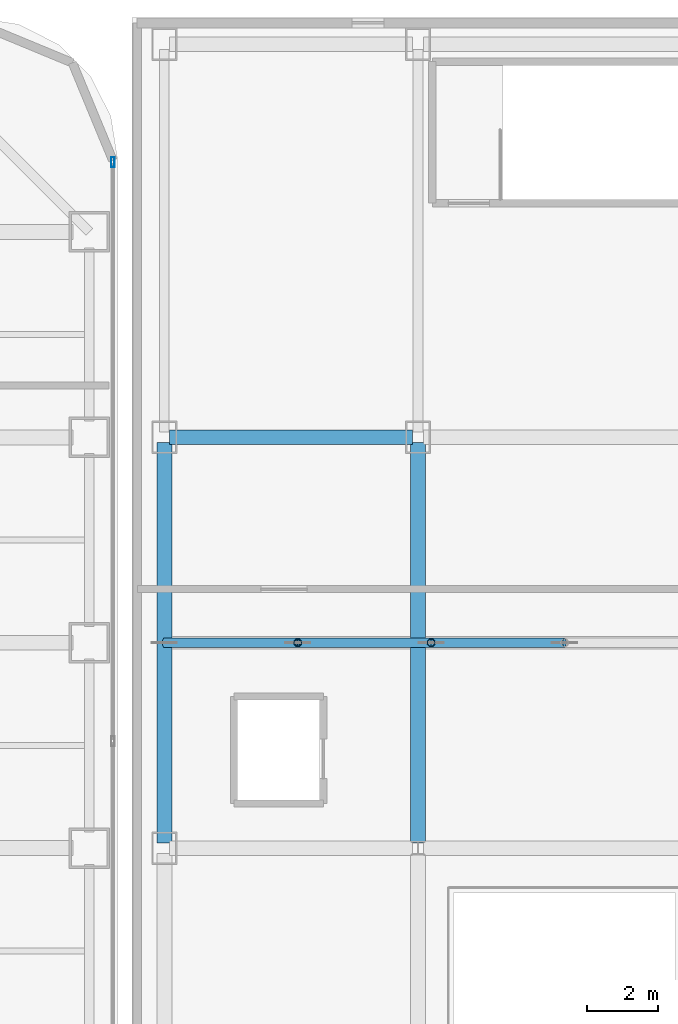
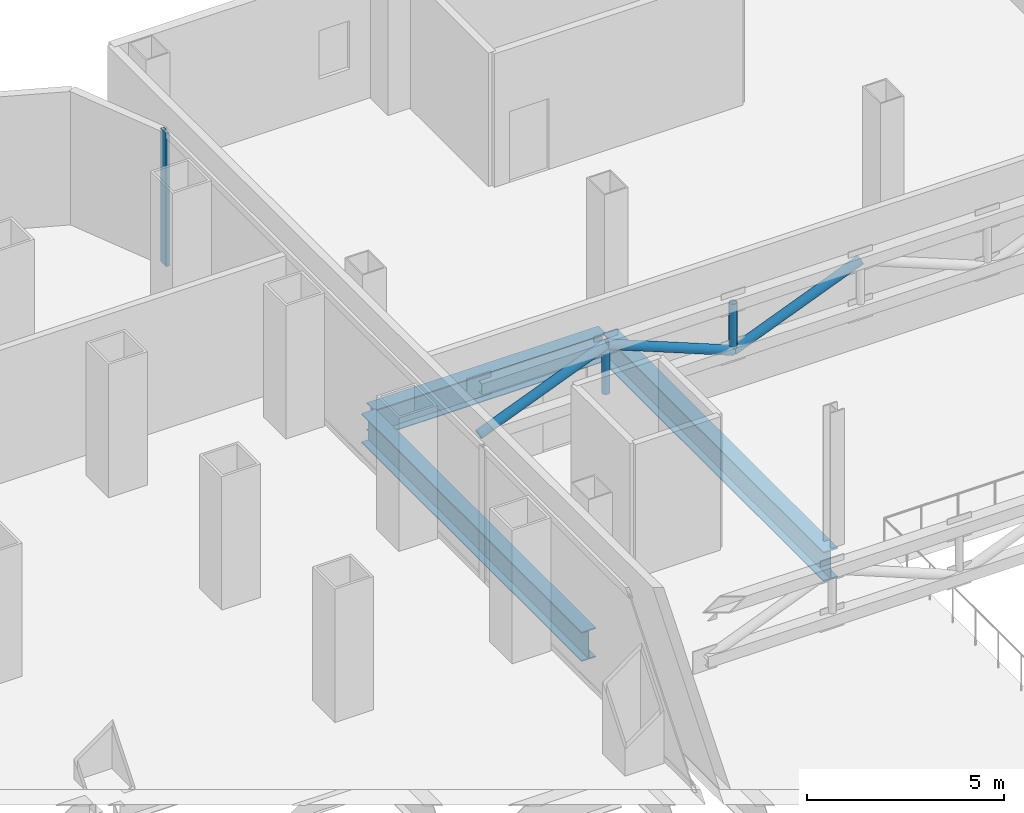
# One storey, part 15 of 28: 6 members, 3 beams, 1 element without a shape of its own.
"""IFC4 building model written with IfcOpenShell, lengths in metres."""

import ifcopenshell
import ifcopenshell.guid

model = None  # the IFC model being written
_history = None  # IfcOwnerHistory: only IFC2X3 demands one
_inside = {}  # id of a spatial element -> (the spatial element, [elements in it])
_under = {}  # id of a project, library or spatial element -> (it, [spatial elements below it])
_declared = {}  # id of a project -> (the project, [libraries it declares])
_typed = {}  # id of a type object -> (the type object, [elements of that type])
_made_of = {}  # id of a material, layer set ... -> (it, [elements and type objects made of it])


def new_model(schema):
    """Start an empty IFC model of exactly this schema.

    Asked for "IFC4X3", IfcOpenShell would pick the latest addendum, in which some entities
    have other attributes; the version numbers below select the first issue.
    IFC2X3 requires an IfcOwnerHistory on every rooted entity: one is made here for all.
    """
    global model, _history
    if schema == "IFC4X3":
        model = ifcopenshell.file(schema_version=(4, 3, 0, 0))
    else:
        model = ifcopenshell.file(schema=schema)
    _inside.clear()
    _under.clear()
    _declared.clear()
    _typed.clear()
    _made_of.clear()
    _history = None
    if model.schema == "IFC2X3":
        org = make("IfcOrganization", Name="unknown")
        user = make(
            "IfcPersonAndOrganization",
            ThePerson=make("IfcPerson", FamilyName="unknown"),
            TheOrganization=org,
        )
        app = make(
            "IfcApplication",
            ApplicationDeveloper=org,
            Version="unknown",
            ApplicationFullName="unknown",
            ApplicationIdentifier="unknown",
        )
        _history = make(
            "IfcOwnerHistory",
            OwningUser=user,
            OwningApplication=app,
            ChangeAction="ADDED",
            CreationDate=0,
        )
    return model


def make(cls, **values):
    """One entity of the class cls with the attributes given. An attribute that is None is left unset."""
    return model.create_entity(
        cls, **{name: value for name, value in values.items() if value is not None}
    )


def rooted(cls, **values):
    """An entity with a GlobalId (a new one), such as an element, a storey or a relation."""
    return make(cls, GlobalId=ifcopenshell.guid.new(), OwnerHistory=_history, **values)


def si_unit(unit_type, name, prefix=None):
    """IfcSIUnit, for example si_unit("LENGTHUNIT", "METRE", prefix="MILLI")."""
    return make("IfcSIUnit", UnitType=unit_type, Prefix=prefix, Name=name)


def assignment(units):
    """IfcUnitAssignment: the units of a project."""
    return None if units is None else make("IfcUnitAssignment", Units=units)


def point(xyz):
    """IfcCartesianPoint."""
    return None if xyz is None else make("IfcCartesianPoint", Coordinates=xyz)


def direction(xyz):
    """IfcDirection."""
    return None if xyz is None else make("IfcDirection", DirectionRatios=xyz)


def frame(location, z_axis=None, x_axis=None):
    """IfcAxis2Placement3D, a coordinate frame: its origin and axes. An axis left out is left unset."""
    return make(
        "IfcAxis2Placement3D",
        Location=point(location),
        Axis=direction(z_axis),
        RefDirection=direction(x_axis),
    )


def frame_2d(location, x_axis=None):
    """IfcAxis2Placement2D, a coordinate frame in the plane: its origin and x axis."""
    return make(
        "IfcAxis2Placement2D", Location=point(location), RefDirection=direction(x_axis)
    )


def origin():
    """The frame at (0, 0, 0) with its axes left unset."""
    return frame((0.0, 0.0, 0.0))


def origin_2d():
    """The frame at (0, 0) in the plane with its x axis left unset."""
    return frame_2d((0.0, 0.0))


def place(relative_to, where):
    """IfcLocalPlacement: puts the frame where relative to a parent placement (None: the world)."""
    return make(
        "IfcLocalPlacement", PlacementRelTo=relative_to, RelativePlacement=where
    )


def context(
    kind, dimensions, precision=None, world=None, true_north=None, identifier=None
):
    """IfcGeometricRepresentationContext, for example the 3D "Model" context."""
    return make(
        "IfcGeometricRepresentationContext",
        ContextIdentifier=identifier,
        ContextType=kind,
        CoordinateSpaceDimension=dimensions,
        Precision=precision,
        WorldCoordinateSystem=world,
        TrueNorth=true_north,
    )


def subcontext(parent, identifier, kind, view, scale=None):
    """IfcGeometricRepresentationSubContext, for example "Body" below "Model"."""
    return make(
        "IfcGeometricRepresentationSubContext",
        ContextIdentifier=identifier,
        ContextType=kind,
        ParentContext=parent,
        TargetScale=scale,
        TargetView=view,
    )


def project(units=None, contexts=None):
    """IfcProject with its units and contexts."""
    return rooted(
        "IfcProject",
        Name="project",
        RepresentationContexts=contexts,
        UnitsInContext=assignment(units),
    )


def spatial(cls, under=None, at=None, **own):
    """A site, building, storey or space (cls), placed at a placement, below another one or the project."""
    s = rooted(cls, ObjectPlacement=at, **own)
    if under is not None:
        _under.setdefault(under.id(), (under, []))[1].append(s)
    return s


def profile(cls, at=None, kind="AREA", **sizes):
    """A parametric profile (cls). Its sizes go by their IFC names, for example OverallWidth=200.0."""
    return make(cls, ProfileType=kind, Position=at, **sizes)


def hollow_rectangle(**sizes):
    """IfcRectangleHollowProfileDef."""
    return profile("IfcRectangleHollowProfileDef", **sizes)


def hollow_circle(**sizes):
    """IfcCircleHollowProfileDef."""
    return profile("IfcCircleHollowProfileDef", **sizes)


def i_section(**sizes):
    """IfcIShapeProfileDef."""
    return profile("IfcIShapeProfileDef", **sizes)


def extrude(swept, where, along, depth):
    """IfcExtrudedAreaSolid: the profile swept, set in the frame where, extruded along a direction by depth."""
    return make(
        "IfcExtrudedAreaSolid",
        SweptArea=swept,
        Position=where,
        ExtrudedDirection=direction(along),
        Depth=depth,
    )


def shape(context_of_items, identifier, shape_type, items):
    """IfcShapeRepresentation: the items that make up one representation, for example the "Body"."""
    return make(
        "IfcShapeRepresentation",
        ContextOfItems=context_of_items,
        RepresentationIdentifier=identifier,
        RepresentationType=shape_type,
        Items=items,
    )


def source(mapping_origin, context_of_items, identifier, shape_type, items):
    """IfcRepresentationMap: a shape defined once, which mapped items show again and again."""
    return make(
        "IfcRepresentationMap",
        MappingOrigin=mapping_origin,
        MappedRepresentation=shape(context_of_items, identifier, shape_type, items),
    )


def transform(
    local_origin,
    x_axis=None,
    y_axis=None,
    z_axis=None,
    scale=None,
    scale2=None,
    scale3=None,
    uniform=True,
):
    """IfcCartesianTransformationOperator3D, or its non-uniform kind. x_axis, y_axis, z_axis: its Axis1, 2, 3."""
    if uniform:
        return make(
            "IfcCartesianTransformationOperator3D",
            Axis1=direction(x_axis),
            Axis2=direction(y_axis),
            LocalOrigin=point(local_origin),
            Scale=scale,
            Axis3=direction(z_axis),
        )
    return make(
        "IfcCartesianTransformationOperator3DnonUniform",
        Axis1=direction(x_axis),
        Axis2=direction(y_axis),
        LocalOrigin=point(local_origin),
        Scale=scale,
        Axis3=direction(z_axis),
        Scale2=scale2,
        Scale3=scale3,
    )


def mapped(mapping_source, mapping_target):
    """IfcMappedItem: shows the shape of a source again, moved by a transform."""
    return make(
        "IfcMappedItem", MappingSource=mapping_source, MappingTarget=mapping_target
    )


def material(Name=None, Category=None):
    """IfcMaterial."""
    return make("IfcMaterial", Name=Name, Category=Category)


def layer(
    of_material, thickness, ventilated=None, Name=None, Category=None, Priority=None
):
    """IfcMaterialLayer: one layer of a wall or slab, of a material (None: an air gap)."""
    return make(
        "IfcMaterialLayer",
        Material=of_material,
        LayerThickness=thickness,
        IsVentilated=ventilated,
        Name=Name,
        Category=Category,
        Priority=Priority,
    )


def layer_set(layers, Name=None):
    """IfcMaterialLayerSet."""
    return make("IfcMaterialLayerSet", MaterialLayers=layers, LayerSetName=Name)


def material_profile(
    of_material, cross_section, Name=None, Category=None, Priority=None
):
    """IfcMaterialProfile: a cross section and its material."""
    return make(
        "IfcMaterialProfile",
        Name=Name,
        Material=of_material,
        Profile=cross_section,
        Priority=Priority,
        Category=Category,
    )


def profile_set(profiles, Name=None, composite=None):
    """IfcMaterialProfileSet."""
    return make(
        "IfcMaterialProfileSet",
        Name=Name,
        MaterialProfiles=profiles,
        CompositeProfile=composite,
    )


def made_of(thing, what):
    """Note that an element or type object is made of a material, layer set ...; save() writes the relation."""
    if what is not None:
        _made_of.setdefault(what.id(), (what, []))[1].append(thing)
    return thing


def type_object(cls, material=None, **own):
    """A type object (cls), such as IfcWallType, which elements share."""
    return made_of(rooted(cls, **own), material)


def element(
    cls,
    number,
    at=None,
    inside=None,
    cuts=None,
    type_object=None,
    material=None,
    context=None,
    identifier="Body",
    shape_type=None,
    held_by="IfcProductDefinitionShape",
    body=None,
    shapes=None,
    **own,
):
    """One element of the class cls, such as IfcWall. Its Tag is "e" and its number.

    at: its placement. inside: the storey or other place that contains it. cuts: it is an
    opening in that element (IfcRelVoidsElement). A single representation is given by context,
    identifier, shape_type and body (its items); several are given by shapes. held_by: the class
    of the entity that holds the representations. save() writes the other relations.
    """
    e = rooted(cls, Tag="e%d" % number, ObjectPlacement=at, **own)
    if body is not None:
        shapes = [shape(context, identifier, shape_type, body)]
    if shapes is not None:
        e.Representation = make(held_by, Representations=shapes)
    if inside is not None:
        _inside.setdefault(inside.id(), (inside, []))[1].append(e)
    if cuts is not None:
        rooted(
            "IfcRelVoidsElement", RelatingBuildingElement=cuts, RelatedOpeningElement=e
        )
    if type_object is not None:
        _typed.setdefault(type_object.id(), (type_object, []))[1].append(e)
    return made_of(e, material)


def aggregate(whole, parts):
    """IfcRelAggregates: a whole, such as a stair, and the parts it consists of."""
    return rooted("IfcRelAggregates", RelatingObject=whole, RelatedObjects=parts)


def save(model, path):
    """Write the relations noted so far, then the file.

    IfcRelAggregates (storeys below a building ...), IfcRelContainedInSpatialStructure (elements
    in a storey), IfcRelDefinesByType, IfcRelAssociatesMaterial and IfcRelDeclares: one each for
    every whole, place, type object, material and project.
    """
    for whole, parts in _under.values():
        aggregate(whole, parts)
    for where, things in _inside.values():
        rooted(
            "IfcRelContainedInSpatialStructure",
            RelatedElements=things,
            RelatingStructure=where,
        )
    for kind, things in _typed.values():
        rooted("IfcRelDefinesByType", RelatedObjects=things, RelatingType=kind)
    for what, things in _made_of.values():
        rooted("IfcRelAssociatesMaterial", RelatedObjects=things, RelatingMaterial=what)
    for by, libraries in _declared.values():
        rooted("IfcRelDeclares", RelatingContext=by, RelatedDefinitions=libraries)
    model.write(path)


model = new_model("IFC4")

# Units and contexts
model_context = context("Model", 3, precision=1e-05, world=origin(), true_north=direction((0.0, 1.0)))
body_context = subcontext(model_context, "Body", "Model", "MODEL_VIEW")
ifc_project = project(units=[si_unit("LENGTHUNIT", "METRE"), si_unit("AREAUNIT", "SQUARE_METRE"), si_unit("VOLUMEUNIT", "CUBIC_METRE"), si_unit("PLANEANGLEUNIT", "RADIAN"), si_unit("MASSUNIT", "GRAM", prefix="KILO")], contexts=[model_context])

# Site, building, storey
site_placement = place(None, origin())
site = spatial("IfcSite", under=ifc_project, at=site_placement, CompositionType="ELEMENT")
building_placement = place(site_placement, origin())
building = spatial("IfcBuilding", under=site, at=building_placement, Name="Kolveth Station Tower", CompositionType="ELEMENT")
storey_placement = place(building_placement, frame((0.0, 0.0, 18.0)))
storey = spatial("IfcBuildingStorey", under=building, at=storey_placement, Name="L04", CompositionType="ELEMENT", Elevation=18.0)

# Beams
ifc_material_1 = material(Name="Steel S355", Category="steel")
ifc_material_profile_1 = material_profile(ifc_material_1, i_section(OverallWidth=0.40087890625, OverallDepth=0.85107421875, WebThickness=0.01611328125, FlangeThickness=0.025390625, at=origin_2d()), Name="W840x226")
ifc_profile_set_1 = profile_set([ifc_material_profile_1], Name="Steel S355")
beam_type_1 = type_object("IfcBeamType", Name="Beam_B2", PredefinedType="BEAM", material=ifc_profile_set_1)
shared_shape_1 = source(origin(), body_context, "Body", "SweptSolid", [
    extrude(i_section(OverallWidth=0.40087890625, OverallDepth=0.85107421875, WebThickness=0.01611328125, FlangeThickness=0.025390625, at=origin_2d()), origin(), (0.0, 0.0, 1.0), 6.800048828125),
])
beam_placement = place(storey_placement, frame((48.449951171875, 28.75, -0.74560546875), z_axis=(1.0, 0.0, 0.0), x_axis=(0.0, 1.0, 0.0)))
element("IfcBeam", 1, at=beam_placement, inside=storey, type_object=beam_type_1, Name="L04 Station Portal Girder SBM-L04-EW-5-1", PredefinedType="BEAM", context=body_context, shape_type="MappedRepresentation", body=[
    mapped(shared_shape_1, transform((0.0, 0.0, 0.0), x_axis=(1.0, 0.0, 0.0), y_axis=(0.0, 1.0, 0.0), z_axis=(0.0, 0.0, 1.0), scale=1.0)),
])
ifc_material_profile_2 = material_profile(ifc_material_1, i_section(OverallWidth=0.41796875, OverallDepth=0.912109375, WebThickness=0.019287109375, FlangeThickness=0.031982421875, at=origin_2d()), Name="W920x342")
ifc_profile_set_2 = profile_set([ifc_material_profile_2], Name="Steel S355")
beam_type_2 = type_object("IfcBeamType", Name="Beam_B1", PredefinedType="BEAM", material=ifc_profile_set_2)
shared_shape_2 = source(origin(), body_context, "Body", "SweptSolid", [
    extrude(i_section(OverallWidth=0.41796875, OverallDepth=0.912109375, WebThickness=0.019287109375, FlangeThickness=0.031982421875, at=origin_2d()), origin(), (0.0, 0.0, 1.0), 11.2001953125),
])
for number, where, z_axis, x_axis, name in (
    (2, (48.300048828125, 17.39990234375, -0.77587890625), (0.0, 1.0, 0.0), (-1.0, 0.0, 0.0), "L04 Station Spine Girder SBM-L04-NS-1-4"),
    (3, (55.39990234375, 17.39990234375, -0.77587890625), (0.0, 1.0, 0.0), (-1.0, 0.0, 0.0), "L04 Station Spine Girder SBM-L04-NS-2-4"),
):
    element("IfcBeam", number, at=place(storey_placement, frame(where, z_axis=z_axis, x_axis=x_axis)), inside=storey, type_object=beam_type_2, Name=name, PredefinedType="BEAM", context=body_context, shape_type="MappedRepresentation", body=[
        mapped(shared_shape_2, transform((0.0, 0.0, 0.0), x_axis=(1.0, 0.0, 0.0), y_axis=(0.0, 1.0, 0.0), z_axis=(0.0, 0.0, 1.0), scale=1.0)),
    ])

# Members
ifc_material_profile_3 = material_profile(ifc_material_1, hollow_circle(Radius=0.136474609375, WallThickness=0.012451171875, at=origin_2d()), Name="CHS273x12.5")
ifc_profile_set_3 = profile_set([ifc_material_profile_3], Name="Steel S355")
member_type_1 = type_object("IfcMemberType", Name="Mem_BR5", PredefinedType="BRACE", material=ifc_profile_set_3)
shared_shape_3 = source(origin(), body_context, "Body", "SweptSolid", [
    extrude(hollow_circle(Radius=0.136474609375, WallThickness=0.012451171875, at=origin_2d()), origin(), (0.0, 0.0, 1.0), 4.0234375),
])
for number, where, z_axis, x_axis, name in (
    (4, (48.300048828125, 23.0, 2.35009765625), (0.927906471561, 0.0, 0.372813063123), (0.0, 1.0, 0.0), "Station Roof Truss 3 Diagonal 1"),
    (5, (55.7666015625, 23.0, 2.35009765625), (0.927906471561, 0.0, 0.372813063123), (0.0, 1.0, 0.0), "Station Roof Truss 3 Diagonal 3"),
):
    element("IfcMember", number, at=place(storey_placement, frame(where, z_axis=z_axis, x_axis=x_axis)), inside=storey, type_object=member_type_1, Name=name, PredefinedType="BRACE", context=body_context, shape_type="MappedRepresentation", body=[
        mapped(shared_shape_3, transform((0.0, 0.0, 0.0), x_axis=(1.0, 0.0, 0.0), y_axis=(0.0, 1.0, 0.0), z_axis=(0.0, 0.0, 1.0), scale=1.0)),
    ])
shared_shape_4 = source(origin(), body_context, "Body", "SweptSolid", [
    extrude(hollow_circle(Radius=0.136474609375, WallThickness=0.012451171875, at=origin_2d()), origin(), (0.0, 0.0, 1.0), 4.023193359375),
])
member_1_placement = place(storey_placement, frame((52.033447265625, 23.0, 3.85009765625), z_axis=(0.927898037071, 0.0, -0.372834055311), x_axis=(0.0, 1.0, 0.0)))
element("IfcMember", 6, at=member_1_placement, inside=storey, type_object=member_type_1, Name="Station Roof Truss 3 Diagonal 2", PredefinedType="BRACE", context=body_context, shape_type="MappedRepresentation", body=[
    mapped(shared_shape_4, transform((0.0, 0.0, 0.0), x_axis=(1.0, 0.0, 0.0), y_axis=(0.0, 1.0, 0.0), z_axis=(0.0, 0.0, 1.0), scale=1.0)),
])
ifc_material_profile_4 = material_profile(ifc_material_1, hollow_circle(Radius=0.109619140625, WallThickness=0.010009765625, at=origin_2d()), Name="CHS219x10")
ifc_profile_set_4 = profile_set([ifc_material_profile_4], Name="Steel S355")
member_type_2 = type_object("IfcMemberType", Name="Mem_ST-R1", PredefinedType="STRUT", material=ifc_profile_set_4)
shared_shape_5 = source(origin(), body_context, "Body", "SweptSolid", [
    extrude(hollow_circle(Radius=0.109619140625, WallThickness=0.010009765625, at=origin_2d()), origin(), (0.0, 0.0, 1.0), 1.5),
])
for number, where, z_axis, x_axis, name in (
    (7, (52.033447265625, 23.0, 2.35009765625), (0.0, 0.0, 1.0), (1.0, 0.0, 0.0), "Station Roof Truss 3 Strut 1"),
    (8, (55.7666015625, 23.0, 2.35009765625), (0.0, 0.0, 1.0), (1.0, 0.0, 0.0), "Station Roof Truss 3 Strut 2"),
):
    element("IfcMember", number, at=place(storey_placement, frame(where, z_axis=z_axis, x_axis=x_axis)), inside=storey, type_object=member_type_2, Name=name, PredefinedType="STRUT", context=body_context, shape_type="MappedRepresentation", body=[
        mapped(shared_shape_5, transform((0.0, 0.0, 0.0), x_axis=(1.0, 0.0, 0.0), y_axis=(0.0, 1.0, 0.0), z_axis=(0.0, 0.0, 1.0), scale=1.0)),
    ])

# Curtain wall, member
ifc_material_2 = material(Name="Black anodized aluminium 6063-T6 and clear station glass", Category="aluminium")
ifc_layer = layer(ifc_material_2, 0.239990234375)
ifc_layer_set = layer_set([ifc_layer], Name="Black anodized aluminium 6063-T6 and clear station glass")
curtain_wall_type = type_object("IfcCurtainWallType", Name="CurtainWall_CW-ST", PredefinedType="NOTDEFINED", material=ifc_layer_set)
curtain_wall_placement = place(storey_placement, origin())
curtain_wall = element("IfcCurtainWall", 9, at=curtain_wall_placement, inside=storey, type_object=curtain_wall_type, Name="L04 Tower Podium East Storefront Curtain Wall", PredefinedType="NOTDEFINED")
ifc_material_3 = material(Name="Black anodized aluminium 6063-T6", Category="aluminium")
ifc_material_profile_5 = material_profile(ifc_material_3, hollow_rectangle(XDim=0.10009765625, YDim=0.280029296875, WallThickness=0.0048828125, at=origin_2d()), Name="ALU-100x280x5")
ifc_profile_set_5 = profile_set([ifc_material_profile_5], Name="Black anodized aluminium 6063-T6")
member_type_3 = type_object("IfcMemberType", Name="Mullion_ML-ST", PredefinedType="MULLION", material=ifc_profile_set_5)
shared_shape_6 = source(origin(), body_context, "Body", "SweptSolid", [
    extrude(hollow_rectangle(XDim=0.10009765625, YDim=0.280029296875, WallThickness=0.0048828125, at=origin_2d()), origin(), (0.0, 0.0, 1.0), 4.139892578125),
])
member_2_placement = place(storey_placement, frame((46.860107421875, 36.449951171875, 0.0), z_axis=(0.0, 0.0, 1.0), x_axis=(-1.0, 0.0, 0.0)))
member_2 = element("IfcMember", 10, at=member_2_placement, type_object=member_type_3, Name="CW-ST mullion 3", PredefinedType="MULLION", context=body_context, shape_type="MappedRepresentation", body=[
    mapped(shared_shape_6, transform((0.0, 0.0, 0.0), x_axis=(1.0, 0.0, 0.0), y_axis=(0.0, 1.0, 0.0), z_axis=(0.0, 0.0, 1.0), scale=1.0)),
])
aggregate(curtain_wall, [member_2])

save(model, "model.ifc")
